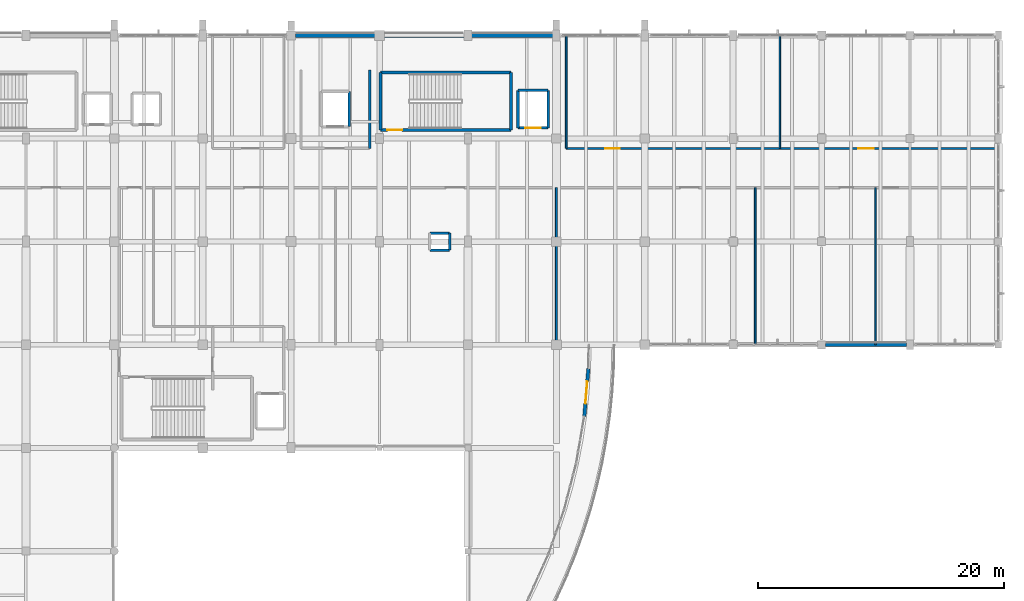
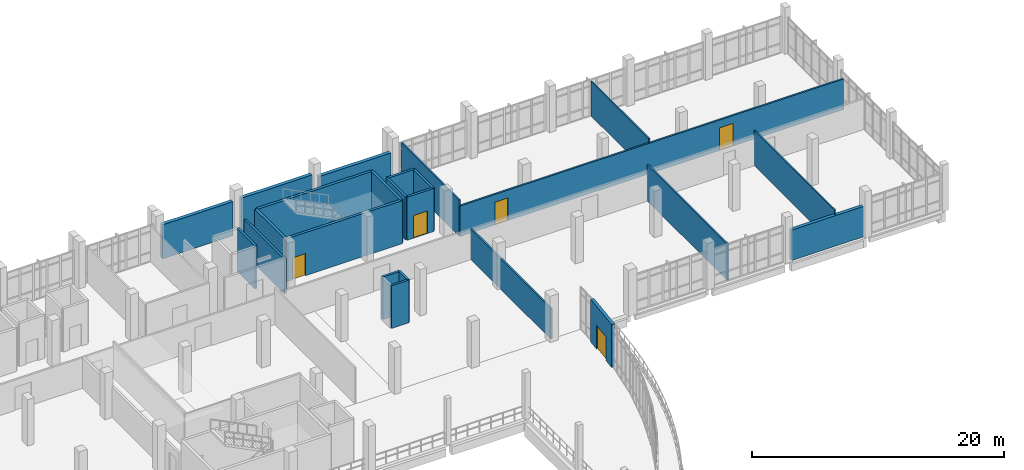
# One storey, part 106 of 116: 24 walls, 5 doors, 5 openings.
"""IFC4 building model written with IfcOpenShell, lengths in metres."""

import ifcopenshell
import ifcopenshell.guid

model = None  # the IFC model being written
_history = None  # IfcOwnerHistory: only IFC2X3 demands one
_inside = {}  # id of a spatial element -> (the spatial element, [elements in it])
_under = {}  # id of a project, library or spatial element -> (it, [spatial elements below it])
_declared = {}  # id of a project -> (the project, [libraries it declares])
_typed = {}  # id of a type object -> (the type object, [elements of that type])
_made_of = {}  # id of a material, layer set ... -> (it, [elements and type objects made of it])


def new_model(schema):
    """Start an empty IFC model of exactly this schema.

    Asked for "IFC4X3", IfcOpenShell would pick the latest addendum, in which some entities
    have other attributes; the version numbers below select the first issue.
    IFC2X3 requires an IfcOwnerHistory on every rooted entity: one is made here for all.
    """
    global model, _history
    if schema == "IFC4X3":
        model = ifcopenshell.file(schema_version=(4, 3, 0, 0))
    else:
        model = ifcopenshell.file(schema=schema)
    _inside.clear()
    _under.clear()
    _declared.clear()
    _typed.clear()
    _made_of.clear()
    _history = None
    if model.schema == "IFC2X3":
        org = make("IfcOrganization", Name="unknown")
        user = make(
            "IfcPersonAndOrganization",
            ThePerson=make("IfcPerson", FamilyName="unknown"),
            TheOrganization=org,
        )
        app = make(
            "IfcApplication",
            ApplicationDeveloper=org,
            Version="unknown",
            ApplicationFullName="unknown",
            ApplicationIdentifier="unknown",
        )
        _history = make(
            "IfcOwnerHistory",
            OwningUser=user,
            OwningApplication=app,
            ChangeAction="ADDED",
            CreationDate=0,
        )
    return model


def make(cls, **values):
    """One entity of the class cls with the attributes given. An attribute that is None is left unset."""
    return model.create_entity(
        cls, **{name: value for name, value in values.items() if value is not None}
    )


def rooted(cls, **values):
    """An entity with a GlobalId (a new one), such as an element, a storey or a relation."""
    return make(cls, GlobalId=ifcopenshell.guid.new(), OwnerHistory=_history, **values)


def si_unit(unit_type, name, prefix=None):
    """IfcSIUnit, for example si_unit("LENGTHUNIT", "METRE", prefix="MILLI")."""
    return make("IfcSIUnit", UnitType=unit_type, Prefix=prefix, Name=name)


def assignment(units):
    """IfcUnitAssignment: the units of a project."""
    return None if units is None else make("IfcUnitAssignment", Units=units)


def point(xyz):
    """IfcCartesianPoint."""
    return None if xyz is None else make("IfcCartesianPoint", Coordinates=xyz)


def direction(xyz):
    """IfcDirection."""
    return None if xyz is None else make("IfcDirection", DirectionRatios=xyz)


def frame(location, z_axis=None, x_axis=None):
    """IfcAxis2Placement3D, a coordinate frame: its origin and axes. An axis left out is left unset."""
    return make(
        "IfcAxis2Placement3D",
        Location=point(location),
        Axis=direction(z_axis),
        RefDirection=direction(x_axis),
    )


def frame_2d(location, x_axis=None):
    """IfcAxis2Placement2D, a coordinate frame in the plane: its origin and x axis."""
    return make(
        "IfcAxis2Placement2D", Location=point(location), RefDirection=direction(x_axis)
    )


def origin():
    """The frame at (0, 0, 0) with its axes left unset."""
    return frame((0.0, 0.0, 0.0))


def place(relative_to, where):
    """IfcLocalPlacement: puts the frame where relative to a parent placement (None: the world)."""
    return make(
        "IfcLocalPlacement", PlacementRelTo=relative_to, RelativePlacement=where
    )


def context(
    kind, dimensions, precision=None, world=None, true_north=None, identifier=None
):
    """IfcGeometricRepresentationContext, for example the 3D "Model" context."""
    return make(
        "IfcGeometricRepresentationContext",
        ContextIdentifier=identifier,
        ContextType=kind,
        CoordinateSpaceDimension=dimensions,
        Precision=precision,
        WorldCoordinateSystem=world,
        TrueNorth=true_north,
    )


def subcontext(parent, identifier, kind, view, scale=None):
    """IfcGeometricRepresentationSubContext, for example "Body" below "Model"."""
    return make(
        "IfcGeometricRepresentationSubContext",
        ContextIdentifier=identifier,
        ContextType=kind,
        ParentContext=parent,
        TargetScale=scale,
        TargetView=view,
    )


def project(units=None, contexts=None):
    """IfcProject with its units and contexts."""
    return rooted(
        "IfcProject",
        Name="project",
        RepresentationContexts=contexts,
        UnitsInContext=assignment(units),
    )


def spatial(cls, under=None, at=None, **own):
    """A site, building, storey or space (cls), placed at a placement, below another one or the project."""
    s = rooted(cls, ObjectPlacement=at, **own)
    if under is not None:
        _under.setdefault(under.id(), (under, []))[1].append(s)
    return s


def profile(cls, at=None, kind="AREA", **sizes):
    """A parametric profile (cls). Its sizes go by their IFC names, for example OverallWidth=200.0."""
    return make(cls, ProfileType=kind, Position=at, **sizes)


def rectangle(**sizes):
    """IfcRectangleProfileDef."""
    return profile("IfcRectangleProfileDef", **sizes)


def extrude(swept, where, along, depth):
    """IfcExtrudedAreaSolid: the profile swept, set in the frame where, extruded along a direction by depth."""
    return make(
        "IfcExtrudedAreaSolid",
        SweptArea=swept,
        Position=where,
        ExtrudedDirection=direction(along),
        Depth=depth,
    )


def shape(context_of_items, identifier, shape_type, items):
    """IfcShapeRepresentation: the items that make up one representation, for example the "Body"."""
    return make(
        "IfcShapeRepresentation",
        ContextOfItems=context_of_items,
        RepresentationIdentifier=identifier,
        RepresentationType=shape_type,
        Items=items,
    )


def material(Name=None, Category=None):
    """IfcMaterial."""
    return make("IfcMaterial", Name=Name, Category=Category)


def layer(
    of_material, thickness, ventilated=None, Name=None, Category=None, Priority=None
):
    """IfcMaterialLayer: one layer of a wall or slab, of a material (None: an air gap)."""
    return make(
        "IfcMaterialLayer",
        Material=of_material,
        LayerThickness=thickness,
        IsVentilated=ventilated,
        Name=Name,
        Category=Category,
        Priority=Priority,
    )


def layer_set(layers, Name=None):
    """IfcMaterialLayerSet."""
    return make("IfcMaterialLayerSet", MaterialLayers=layers, LayerSetName=Name)


def made_of(thing, what):
    """Note that an element or type object is made of a material, layer set ...; save() writes the relation."""
    if what is not None:
        _made_of.setdefault(what.id(), (what, []))[1].append(thing)
    return thing


def type_object(cls, material=None, **own):
    """A type object (cls), such as IfcWallType, which elements share."""
    return made_of(rooted(cls, **own), material)


def element(
    cls,
    number,
    at=None,
    inside=None,
    cuts=None,
    type_object=None,
    material=None,
    context=None,
    identifier="Body",
    shape_type=None,
    held_by="IfcProductDefinitionShape",
    body=None,
    shapes=None,
    **own,
):
    """One element of the class cls, such as IfcWall. Its Tag is "e" and its number.

    at: its placement. inside: the storey or other place that contains it. cuts: it is an
    opening in that element (IfcRelVoidsElement). A single representation is given by context,
    identifier, shape_type and body (its items); several are given by shapes. held_by: the class
    of the entity that holds the representations. save() writes the other relations.
    """
    e = rooted(cls, Tag="e%d" % number, ObjectPlacement=at, **own)
    if body is not None:
        shapes = [shape(context, identifier, shape_type, body)]
    if shapes is not None:
        e.Representation = make(held_by, Representations=shapes)
    if inside is not None:
        _inside.setdefault(inside.id(), (inside, []))[1].append(e)
    if cuts is not None:
        rooted(
            "IfcRelVoidsElement", RelatingBuildingElement=cuts, RelatedOpeningElement=e
        )
    if type_object is not None:
        _typed.setdefault(type_object.id(), (type_object, []))[1].append(e)
    return made_of(e, material)


def fill(opening, filler):
    """IfcRelFillsElement: the door or window that sits in an opening."""
    return rooted(
        "IfcRelFillsElement",
        RelatingOpeningElement=opening,
        RelatedBuildingElement=filler,
    )


def aggregate(whole, parts):
    """IfcRelAggregates: a whole, such as a stair, and the parts it consists of."""
    return rooted("IfcRelAggregates", RelatingObject=whole, RelatedObjects=parts)


def save(model, path):
    """Write the relations noted so far, then the file.

    IfcRelAggregates (storeys below a building ...), IfcRelContainedInSpatialStructure (elements
    in a storey), IfcRelDefinesByType, IfcRelAssociatesMaterial and IfcRelDeclares: one each for
    every whole, place, type object, material and project.
    """
    for whole, parts in _under.values():
        aggregate(whole, parts)
    for where, things in _inside.values():
        rooted(
            "IfcRelContainedInSpatialStructure",
            RelatedElements=things,
            RelatingStructure=where,
        )
    for kind, things in _typed.values():
        rooted("IfcRelDefinesByType", RelatedObjects=things, RelatingType=kind)
    for what, things in _made_of.values():
        rooted("IfcRelAssociatesMaterial", RelatedObjects=things, RelatingMaterial=what)
    for by, libraries in _declared.values():
        rooted("IfcRelDeclares", RelatingContext=by, RelatedDefinitions=libraries)
    model.write(path)


model = new_model("IFC4")

# Units and contexts
model_context = context("Model", 3, precision=1e-05, world=origin(), true_north=direction((0.0, 1.0)))
body_context = subcontext(model_context, "Body", "Model", "MODEL_VIEW")
ifc_project = project(units=[si_unit("LENGTHUNIT", "METRE"), si_unit("AREAUNIT", "SQUARE_METRE"), si_unit("VOLUMEUNIT", "CUBIC_METRE"), si_unit("PLANEANGLEUNIT", "RADIAN"), si_unit("MASSUNIT", "GRAM", prefix="KILO")], contexts=[model_context])

# Site, building, storey
site_placement = place(None, origin())
site = spatial("IfcSite", under=ifc_project, at=site_placement, CompositionType="ELEMENT")
building_placement = place(site_placement, origin())
building = spatial("IfcBuilding", under=site, at=building_placement, Name="Kalluvel Institute of Natural Sciences", CompositionType="ELEMENT")
storey_placement = place(building_placement, frame((0.0, 0.0, 14.39990234375)))
storey = spatial("IfcBuildingStorey", under=building, at=storey_placement, Name="L03", CompositionType="ELEMENT", Elevation=14.39990234375)

# Wall, opening, door
ifc_material_1 = material(Name="Concrete M40", Category="concrete")
ifc_layer_1 = layer(ifc_material_1, 0.25)
ifc_layer_set_1 = layer_set([ifc_layer_1], Name="Concrete M40")
wall_type_1 = type_object("IfcWallType", Name="WL-CORE-250", PredefinedType="SHEAR", material=ifc_layer_set_1)
wall_1_placement = place(storey_placement, frame((64.485107421875, 120.284912109375, 0.0), z_axis=(0.0, 0.0, 1.0), x_axis=(1.0, 0.0, 0.0)))
wall_1 = element("IfcWall", 1, at=wall_1_placement, inside=storey, type_object=wall_type_1, Name="ST2 L03 core wall S", PredefinedType="SHEAR", context=body_context, shape_type="SweptSolid", body=[
    extrude(rectangle(XDim=10.6298828125, YDim=0.25, at=frame_2d((5.31494140625, 0.0))), origin(), (0.0, 0.0, 1.0), 4.175048828125),
])
opening_1_placement = place(wall_1_placement, frame((0.550048828125, 0.0, 0.0)))
opening_1 = element("IfcOpeningElement", 2, at=opening_1_placement, cuts=wall_1, Name="Opening DS-016", PredefinedType="OPENING", context=body_context, shape_type="SweptSolid", body=[
    extrude(rectangle(XDim=1.199951171875, YDim=2.14990234375, at=frame_2d((0.60009765625, 1.074951171875))), frame((0.0, 0.135009765625, 0.0), z_axis=(0.0, -1.0, 0.0), x_axis=(1.0, 0.0, 0.0)), (0.0, 0.0, 1.0), 0.27001953125),
])
ifc_material_2 = material(Name="Galvanized Fire-Rated Steel", Category="steel")
door_type_1 = type_object("IfcDoorType", Name="DR-ST-1200", OperationType="NOTDEFINED", PredefinedType="DOOR", material=ifc_material_2)
door_1_placement = place(opening_1_placement, origin())
door_1 = element("IfcDoor", 3, at=door_1_placement, inside=storey, type_object=door_type_1, Name="ST2 L03 protected stair door DS-016", OperationType="SINGLE_SWING_LEFT", OverallHeight=2.14990234375, OverallWidth=1.199951171875, PredefinedType="DOOR", context=body_context, shape_type="SweptSolid", body=[
    extrude(rectangle(XDim=1.199951171875, YDim=2.14990234375, at=frame_2d((0.60009765625, 1.074951171875))), frame((0.0, 0.02490234375, 0.0), z_axis=(0.0, -1.0, 0.0), x_axis=(1.0, 0.0, 0.0)), (0.0, 0.0, 1.0), 0.050048828125),
])
fill(opening_1, door_1)

# Walls
wall_2_placement = place(storey_placement, frame((75.114990234375, 120.284912109375, 0.0), z_axis=(0.0, 0.0, 1.0), x_axis=(0.0, 1.0, 0.0)))
element("IfcWall", 4, at=wall_2_placement, inside=storey, type_object=wall_type_1, Name="ST2 L03 core wall E", PredefinedType="SHEAR", context=body_context, shape_type="SweptSolid", body=[
    extrude(rectangle(XDim=4.7001953125, YDim=0.25, at=frame_2d((2.35009765625, 0.0))), origin(), (0.0, 0.0, 1.0), 4.175048828125),
])
wall_3_placement = place(storey_placement, frame((75.114990234375, 124.985107421875, 0.0), z_axis=(0.0, 0.0, 1.0), x_axis=(-1.0, 0.0, 0.0)))
element("IfcWall", 5, at=wall_3_placement, inside=storey, type_object=wall_type_1, Name="ST2 L03 core wall N", PredefinedType="SHEAR", context=body_context, shape_type="SweptSolid", body=[
    extrude(rectangle(XDim=10.6298828125, YDim=0.25, at=frame_2d((5.31494140625, 0.0))), origin(), (0.0, 0.0, 1.0), 4.175048828125),
])
wall_4_placement = place(storey_placement, frame((64.485107421875, 124.985107421875, 0.0), z_axis=(0.0, 0.0, 1.0), x_axis=(0.0, -1.0, 0.0)))
element("IfcWall", 6, at=wall_4_placement, inside=storey, type_object=wall_type_1, Name="ST2 L03 core wall W", PredefinedType="SHEAR", context=body_context, shape_type="SweptSolid", body=[
    extrude(rectangle(XDim=4.7001953125, YDim=0.25, at=frame_2d((2.35009765625, 0.0))), origin(), (0.0, 0.0, 1.0), 4.175048828125),
])

# Wall, opening, door
ifc_material_3 = material(Name="Sadarahalli Grey Granite Ashlar Concrete M40", Category="masonry")
ifc_layer_2 = layer(ifc_material_3, 0.280029296875)
ifc_layer_set_2 = layer_set([ifc_layer_2], Name="Sadarahalli Grey Granite Ashlar Concrete M40")
wall_type_2 = type_object("IfcWallType", Name="WL-EXT-280", PredefinedType="SOLIDWALL", material=ifc_layer_set_2)
wall_5_placement = place(storey_placement, frame((81.07861328125, 96.976318359375, 0.0), z_axis=(0.0, 0.0, 1.0), x_axis=(0.084815732282, 0.996396653727, 0.0)))
wall_5 = element("IfcWall", 7, at=wall_5_placement, inside=storey, type_object=wall_type_2, Name="L03 Sadarahalli granite exterior wall WL-EXT-L03-0231", PredefinedType="SOLIDWALL", context=body_context, shape_type="SweptSolid", body=[
    extrude(rectangle(XDim=3.8916015625, YDim=0.280029296875, at=frame_2d((1.94580078125, 0.0))), origin(), (0.0, 0.0, 1.0), 4.150146484375),
])
opening_2_placement = place(wall_5_placement, frame((1.0458984375, 0.0, 0.0)))
opening_2 = element("IfcOpeningElement", 8, at=opening_2_placement, cuts=wall_5, Name="Opening DT-007", PredefinedType="OPENING", context=body_context, shape_type="SweptSolid", body=[
    extrude(rectangle(XDim=1.800048828125, YDim=2.300048828125, at=frame_2d((0.89990234375, 1.14990234375))), frame((0.0, 0.14990234375, 0.0), z_axis=(0.0, -1.0, 0.0), x_axis=(1.0, 0.0, 0.0)), (0.0, 0.0, 1.0), 0.300048828125),
])
ifc_material_4 = material(Name="Aluminium AW-6063 T6", Category="aluminium")
door_type_2 = type_object("IfcDoorType", Name="DR-TER-1800", OperationType="NOTDEFINED", PredefinedType="DOOR", material=ifc_material_4)
door_2_placement = place(opening_2_placement, origin())
door_2 = element("IfcDoor", 9, at=door_2_placement, inside=storey, type_object=door_type_2, Name="L03 Curved Stepped Atrium Terrace Door", OperationType="DOUBLE_DOOR_SINGLE_SWING", OverallHeight=2.300048828125, OverallWidth=1.800048828125, PredefinedType="DOOR", context=body_context, shape_type="SweptSolid", body=[
    extrude(rectangle(XDim=1.800048828125, YDim=2.300048828125, at=frame_2d((0.89990234375, 1.14990234375))), frame((0.0, 0.02490234375, 0.0), z_axis=(0.0, -1.0, 0.0), x_axis=(1.0, 0.0, 0.0)), (0.0, 0.0, 1.0), 0.050048828125),
])
fill(opening_2, door_2)

# Walls
ifc_layer_3 = layer(ifc_material_3, 0.300048828125)
ifc_layer_set_3 = layer_set([ifc_layer_3], Name="Sadarahalli Grey Granite Ashlar Concrete M40")
wall_type_3 = type_object("IfcWallType", Name="WL-EXT-300", PredefinedType="SOLIDWALL", material=ifc_layer_set_3)
wall_6_placement = place(storey_placement, frame((100.705078125, 102.800048828125, 0.0), z_axis=(0.0, 0.0, 1.0), x_axis=(1.0, 0.0, 0.0)))
element("IfcWall", 10, at=wall_6_placement, inside=storey, type_object=wall_type_3, Name="L03 Sadarahalli granite exterior wall WL-EXT-L03-0046", PredefinedType="SOLIDWALL", context=body_context, shape_type="SweptSolid", body=[
    extrude(rectangle(XDim=6.614990234375, YDim=0.300048828125, at=frame_2d((3.3076171875, 0.0))), origin(), (0.0, 0.0, 1.0), 2.955078125),
])
ifc_layer_4 = layer(ifc_material_3, 0.320068359375)
ifc_layer_set_4 = layer_set([ifc_layer_4], Name="Sadarahalli Grey Granite Ashlar Concrete M40")
wall_type_4 = type_object("IfcWallType", Name="WL-EXT-320", PredefinedType="SOLIDWALL", material=ifc_layer_set_4)
wall_7_placement = place(storey_placement, frame((57.554931640625, 128.0, 0.0), z_axis=(0.0, 0.0, 1.0), x_axis=(1.0, 0.0, 0.0)))
element("IfcWall", 11, at=wall_7_placement, inside=storey, type_object=wall_type_4, Name="L03 Sadarahalli granite exterior wall WL-EXT-L03-0043", PredefinedType="SOLIDWALL", context=body_context, shape_type="SweptSolid", body=[
    extrude(rectangle(XDim=6.465087890625, YDim=0.320068359375, at=frame_2d((3.232421875, 0.0))), origin(), (0.0, 0.0, 1.0), 3.30517578125),
])
wall_8_placement = place(storey_placement, frame((64.780029296875, 128.0, 0.0), z_axis=(0.0, 0.0, 1.0), x_axis=(1.0, 0.0, 0.0)))
element("IfcWall", 12, at=wall_8_placement, inside=storey, type_object=wall_type_4, Name="L03 Sadarahalli granite exterior wall WL-EXT-L03-0044", PredefinedType="SOLIDWALL", context=body_context, shape_type="SweptSolid", body=[
    extrude(rectangle(XDim=6.514892578125, YDim=0.320068359375, at=frame_2d((3.25732421875, 0.0))), origin(), (0.0, 0.0, 1.0), 3.35498046875),
])
wall_9_placement = place(storey_placement, frame((71.905029296875, 128.0, 0.0), z_axis=(0.0, 0.0, 1.0), x_axis=(1.0, 0.0, 0.0)))
element("IfcWall", 13, at=wall_9_placement, inside=storey, type_object=wall_type_4, Name="L03 Sadarahalli granite exterior wall WL-EXT-L03-0045", PredefinedType="SOLIDWALL", context=body_context, shape_type="SweptSolid", body=[
    extrude(rectangle(XDim=6.614990234375, YDim=0.320068359375, at=frame_2d((3.3076171875, 0.0))), origin(), (0.0, 0.0, 1.0), 2.955078125),
])
ifc_material_5 = material(Name="Autoclaved Aerated Concrete Masonry Block", Category="masonry")
ifc_layer_5 = layer(ifc_material_5, 0.199951171875)
ifc_layer_set_5 = layer_set([ifc_layer_5], Name="Autoclaved Aerated Concrete Masonry Block")
wall_type_5 = type_object("IfcWallType", Name="WL-FIRE-200", PredefinedType="SOLIDWALL", material=ifc_layer_set_5)
wall_10_placement = place(storey_placement, frame((63.60009765625, 118.800048828125, 0.0), z_axis=(0.0, 0.0, 1.0), x_axis=(0.0, 1.0, 0.0)))
element("IfcWall", 14, at=wall_10_placement, inside=storey, type_object=wall_type_5, Name="L03 interior fire wall WL-INT-L03-0166", PredefinedType="SOLIDWALL", context=body_context, shape_type="SweptSolid", body=[
    extrude(rectangle(XDim=6.39990234375, YDim=0.199951171875, at=frame_2d((3.199951171875, 0.0))), origin(), (0.0, 0.0, 1.0), 3.360107421875),
])
ifc_material_6 = material(Name="Acoustic Gypsum Twin-Stud Partition", Category="gypsum")
ifc_layer_6 = layer(ifc_material_6, 0.1201171875)
ifc_layer_set_6 = layer_set([ifc_layer_6], Name="Acoustic Gypsum Twin-Stud Partition")
wall_type_6 = type_object("IfcWallType", Name="WL-PART-120", PredefinedType="PARTITIONING", material=ifc_layer_set_6)
wall_11_placement = place(storey_placement, frame((97.0, 118.800048828125, 0.0), z_axis=(0.0, 0.0, 1.0), x_axis=(0.0, 1.0, 0.0)))
element("IfcWall", 15, at=wall_11_placement, inside=storey, type_object=wall_type_6, Name="L03 interior partition wall WL-INT-L03-0184", PredefinedType="PARTITIONING", context=body_context, shape_type="SweptSolid", body=[
    extrude(rectangle(XDim=9.199951171875, YDim=0.1201171875, at=frame_2d((4.60009765625, 0.0))), origin(), (0.0, 0.0, 1.0), 3.360107421875),
])
wall_12_placement = place(storey_placement, frame((104.800048828125, 102.800048828125, 0.0), z_axis=(0.0, 0.0, 1.0), x_axis=(0.0, 1.0, 0.0)))
element("IfcWall", 16, at=wall_12_placement, inside=storey, type_object=wall_type_6, Name="L03 interior partition wall WL-INT-L03-0190", PredefinedType="PARTITIONING", context=body_context, shape_type="SweptSolid", body=[
    extrude(rectangle(XDim=12.800048828125, YDim=0.1201171875, at=frame_2d((6.39990234375, 0.0))), origin(), (0.0, 0.0, 1.0), 3.41015625),
])
ifc_layer_7 = layer(ifc_material_6, 0.139892578125)
ifc_layer_set_7 = layer_set([ifc_layer_7], Name="Acoustic Gypsum Twin-Stud Partition")
wall_type_7 = type_object("IfcWallType", Name="WL-PART-140", PredefinedType="PARTITIONING", material=ifc_layer_set_7)
wall_13_placement = place(storey_placement, frame((79.60009765625, 118.800048828125, 0.0), z_axis=(0.0, 0.0, 1.0), x_axis=(0.0, 1.0, 0.0)))
element("IfcWall", 17, at=wall_13_placement, inside=storey, type_object=wall_type_7, Name="L03 interior partition wall WL-INT-L03-0183", PredefinedType="PARTITIONING", context=body_context, shape_type="SweptSolid", body=[
    extrude(rectangle(XDim=9.199951171875, YDim=0.139892578125, at=frame_2d((4.60009765625, 0.0))), origin(), (0.0, 0.0, 1.0), 3.510009765625),
])
wall_14_placement = place(storey_placement, frame((95.0, 102.800048828125, 0.0), z_axis=(0.0, 0.0, 1.0), x_axis=(0.0, 1.0, 0.0)))
element("IfcWall", 18, at=wall_14_placement, inside=storey, type_object=wall_type_7, Name="L03 interior partition wall WL-INT-L03-0189", PredefinedType="PARTITIONING", context=body_context, shape_type="SweptSolid", body=[
    extrude(rectangle(XDim=12.800048828125, YDim=0.139892578125, at=frame_2d((6.39990234375, 0.0))), origin(), (0.0, 0.0, 1.0), 3.510009765625),
])

# Wall, openings, doors
ifc_layer_8 = layer(ifc_material_5, 0.159912109375)
ifc_layer_set_8 = layer_set([ifc_layer_8], Name="Autoclaved Aerated Concrete Masonry Block")
wall_type_8 = type_object("IfcWallType", Name="WL-PART-160", PredefinedType="PARTITIONING", material=ifc_layer_set_8)
wall_15_placement = place(storey_placement, frame((79.60009765625, 118.800048828125, 0.0), z_axis=(0.0, 0.0, 1.0), x_axis=(1.0, 0.0, 0.0)))
wall_15 = element("IfcWall", 19, at=wall_15_placement, inside=storey, type_object=wall_type_8, Name="L03 interior partition wall WL-INT-L03-0182", PredefinedType="PARTITIONING", context=body_context, shape_type="SweptSolid", body=[
    extrude(rectangle(XDim=35.199951171875, YDim=0.159912109375, at=frame_2d((17.60009765625, 0.0))), origin(), (0.0, 0.0, 1.0), 2.960205078125),
])
opening_3_placement = place(wall_15_placement, frame((3.199951171875, 0.0, 0.0)))
opening_3 = element("IfcOpeningElement", 20, at=opening_3_placement, cuts=wall_15, Name="Opening D-151", PredefinedType="OPENING", context=body_context, shape_type="SweptSolid", body=[
    extrude(rectangle(XDim=1.179931640625, YDim=2.199951171875, at=frame_2d((0.58984375, 1.10009765625))), frame((0.0, 0.08984375, 0.0), z_axis=(0.0, -1.0, 0.0), x_axis=(1.0, 0.0, 0.0)), (0.0, 0.0, 1.0), 0.179931640625),
])
opening_4_placement = place(wall_15_placement, frame((23.800048828125, 0.0, 0.0)))
opening_4 = element("IfcOpeningElement", 21, at=opening_4_placement, cuts=wall_15, Name="Opening D-152", PredefinedType="OPENING", context=body_context, shape_type="SweptSolid", body=[
    extrude(rectangle(XDim=1.25, YDim=2.199951171875, at=frame_2d((0.625, 1.10009765625))), frame((0.0, 0.08984375, 0.0), z_axis=(0.0, -1.0, 0.0), x_axis=(1.0, 0.0, 0.0)), (0.0, 0.0, 1.0), 0.179931640625),
])
ifc_material_7 = material(Name="Engineered Hardwood Acoustic Leaf", Category="wood")
door_type_3 = type_object("IfcDoorType", Name="DR-INT-1180", OperationType="NOTDEFINED", PredefinedType="DOOR", material=ifc_material_7)
door_3_placement = place(opening_3_placement, origin())
door_3 = element("IfcDoor", 22, at=door_3_placement, inside=storey, type_object=door_type_3, Name="L03 NE1 door D-151", OperationType="SINGLE_SWING_LEFT", OverallHeight=2.199951171875, OverallWidth=1.179931640625, PredefinedType="DOOR", context=body_context, shape_type="SweptSolid", body=[
    extrude(rectangle(XDim=1.179931640625, YDim=2.199951171875, at=frame_2d((0.58984375, 1.10009765625))), frame((0.0, 0.02490234375, 0.0), z_axis=(0.0, -1.0, 0.0), x_axis=(1.0, 0.0, 0.0)), (0.0, 0.0, 1.0), 0.050048828125),
])
fill(opening_3, door_3)
door_type_4 = type_object("IfcDoorType", Name="DR-INT-1250", OperationType="NOTDEFINED", PredefinedType="DOOR", material=ifc_material_7)
door_4_placement = place(opening_4_placement, origin())
door_4 = element("IfcDoor", 23, at=door_4_placement, inside=storey, type_object=door_type_4, Name="L03 NE2 door D-152", OperationType="SINGLE_SWING_RIGHT", OverallHeight=2.199951171875, OverallWidth=1.25, PredefinedType="DOOR", context=body_context, shape_type="SweptSolid", body=[
    extrude(rectangle(XDim=1.25, YDim=2.199951171875, at=frame_2d((0.625, 1.10009765625))), frame((0.0, 0.02490234375, 0.0), z_axis=(0.0, -1.0, 0.0), x_axis=(1.0, 0.0, 0.0)), (0.0, 0.0, 1.0), 0.050048828125),
])
fill(opening_4, door_4)

# Walls
wall_16_placement = place(storey_placement, frame((78.800048828125, 102.800048828125, 0.0), z_axis=(0.0, 0.0, 1.0), x_axis=(0.0, 1.0, 0.0)))
element("IfcWall", 24, at=wall_16_placement, inside=storey, type_object=wall_type_8, Name="L03 interior partition wall WL-INT-L03-0188", PredefinedType="PARTITIONING", context=body_context, shape_type="SweptSolid", body=[
    extrude(rectangle(XDim=12.800048828125, YDim=0.159912109375, at=frame_2d((6.39990234375, 0.0))), origin(), (0.0, 0.0, 1.0), 2.960205078125),
])
ifc_layer_9 = layer(ifc_material_1, 0.199951171875)
ifc_layer_set_9 = layer_set([ifc_layer_9], Name="Concrete M40")
wall_type_9 = type_object("IfcWallType", Name="WL-RISER-200", PredefinedType="SHEAR", material=ifc_layer_set_9)
wall_17_placement = place(storey_placement, frame((68.5, 110.5, 0.0), z_axis=(0.0, 0.0, 1.0), x_axis=(1.0, 0.0, 0.0)))
element("IfcWall", 25, at=wall_17_placement, inside=storey, type_object=wall_type_9, Name="RS-WET-E L03 service riser enclosure S", PredefinedType="SHEAR", context=body_context, shape_type="SweptSolid", body=[
    extrude(rectangle(XDim=1.60009765625, YDim=0.199951171875, at=frame_2d((0.800048828125, 0.0))), origin(), (0.0, 0.0, 1.0), 4.14013671875),
])
wall_18_placement = place(storey_placement, frame((70.10009765625, 110.5, 0.0), z_axis=(0.0, 0.0, 1.0), x_axis=(0.0, 1.0, 0.0)))
element("IfcWall", 26, at=wall_18_placement, inside=storey, type_object=wall_type_9, Name="RS-WET-E L03 service riser enclosure E", PredefinedType="SHEAR", context=body_context, shape_type="SweptSolid", body=[
    extrude(rectangle(XDim=1.39990234375, YDim=0.199951171875, at=frame_2d((0.699951171875, 0.0))), origin(), (0.0, 0.0, 1.0), 4.14013671875),
])
wall_19_placement = place(storey_placement, frame((70.10009765625, 111.89990234375, 0.0), z_axis=(0.0, 0.0, 1.0), x_axis=(-1.0, 0.0, 0.0)))
element("IfcWall", 27, at=wall_19_placement, inside=storey, type_object=wall_type_9, Name="RS-WET-E L03 service riser enclosure N", PredefinedType="SHEAR", context=body_context, shape_type="SweptSolid", body=[
    extrude(rectangle(XDim=1.60009765625, YDim=0.199951171875, at=frame_2d((0.800048828125, 0.0))), origin(), (0.0, 0.0, 1.0), 4.14013671875),
])
ifc_layer_10 = layer(ifc_material_1, 0.219970703125)
ifc_layer_set_10 = layer_set([ifc_layer_10], Name="Concrete M40")
wall_type_10 = type_object("IfcWallType", Name="WL-SHAFT-220", PredefinedType="SHEAR", material=ifc_layer_set_10)
wall_20_placement = place(storey_placement, frame((61.929931640625, 120.570068359375, 0.0), z_axis=(0.0, 0.0, 1.0), x_axis=(0.0, 1.0, 0.0)))
element("IfcWall", 28, at=wall_20_placement, inside=storey, type_object=wall_type_10, Name="LF3 L03 lift shaft wall", PredefinedType="SHEAR", context=body_context, shape_type="SweptSolid", body=[
    extrude(rectangle(XDim=2.85986328125, YDim=0.219970703125, at=frame_2d((1.429931640625, 0.0))), origin(), (0.0, 0.0, 1.0), 4.175048828125),
])

# Wall, opening, door
wall_21_placement = place(storey_placement, frame((75.669921875, 120.469970703125, 0.0), z_axis=(0.0, 0.0, 1.0), x_axis=(1.0, 0.0, 0.0)))
wall_21 = element("IfcWall", 29, at=wall_21_placement, inside=storey, type_object=wall_type_10, Name="LF4 L03 lift shaft wall", PredefinedType="SHEAR", context=body_context, shape_type="SweptSolid", body=[
    extrude(rectangle(XDim=2.4599609375, YDim=0.219970703125, at=frame_2d((1.22998046875, 0.0))), origin(), (0.0, 0.0, 1.0), 4.175048828125),
])
opening_5_placement = place(wall_21_placement, frame((0.580078125, 0.0, 0.0)))
opening_5 = element("IfcOpeningElement", 30, at=opening_5_placement, cuts=wall_21, Name="Opening LD-035", PredefinedType="OPENING", context=body_context, shape_type="SweptSolid", body=[
    extrude(rectangle(XDim=1.300048828125, YDim=2.199951171875, at=frame_2d((0.64990234375, 1.10009765625))), frame((0.0, 0.119873046875, 0.0), z_axis=(0.0, -1.0, 0.0), x_axis=(1.0, 0.0, 0.0)), (0.0, 0.0, 1.0), 0.239990234375),
])
door_type_5 = type_object("IfcDoorType", Name="DR-LD-1300", OperationType="NOTDEFINED", PredefinedType="DOOR", material=ifc_material_2)
door_5_placement = place(opening_5_placement, origin())
door_5 = element("IfcDoor", 31, at=door_5_placement, inside=storey, type_object=door_type_5, Name="LF4 L03 sliding lift landing door LD-035", OperationType="DOUBLE_DOOR_SLIDING", OverallHeight=2.199951171875, OverallWidth=1.300048828125, PredefinedType="DOOR", context=body_context, shape_type="SweptSolid", body=[
    extrude(rectangle(XDim=1.300048828125, YDim=2.199951171875, at=frame_2d((0.64990234375, 1.10009765625))), frame((0.0, 0.02490234375, 0.0), z_axis=(0.0, -1.0, 0.0), x_axis=(1.0, 0.0, 0.0)), (0.0, 0.0, 1.0), 0.050048828125),
])
fill(opening_5, door_5)

# Walls
wall_22_placement = place(storey_placement, frame((78.1298828125, 120.469970703125, 0.0), z_axis=(0.0, 0.0, 1.0), x_axis=(0.0, 1.0, 0.0)))
element("IfcWall", 32, at=wall_22_placement, inside=storey, type_object=wall_type_10, Name="LF4 L03 lift shaft wall", PredefinedType="SHEAR", context=body_context, shape_type="SweptSolid", body=[
    extrude(rectangle(XDim=3.06005859375, YDim=0.219970703125, at=frame_2d((1.530029296875, 0.0))), origin(), (0.0, 0.0, 1.0), 4.175048828125),
])
wall_23_placement = place(storey_placement, frame((78.1298828125, 123.530029296875, 0.0), z_axis=(0.0, 0.0, 1.0), x_axis=(-1.0, 0.0, 0.0)))
element("IfcWall", 33, at=wall_23_placement, inside=storey, type_object=wall_type_10, Name="LF4 L03 lift shaft wall", PredefinedType="SHEAR", context=body_context, shape_type="SweptSolid", body=[
    extrude(rectangle(XDim=2.4599609375, YDim=0.219970703125, at=frame_2d((1.22998046875, 0.0))), origin(), (0.0, 0.0, 1.0), 4.175048828125),
])
wall_24_placement = place(storey_placement, frame((75.669921875, 123.530029296875, 0.0), z_axis=(0.0, 0.0, 1.0), x_axis=(0.0, -1.0, 0.0)))
element("IfcWall", 34, at=wall_24_placement, inside=storey, type_object=wall_type_10, Name="LF4 L03 lift shaft wall", PredefinedType="SHEAR", context=body_context, shape_type="SweptSolid", body=[
    extrude(rectangle(XDim=3.06005859375, YDim=0.219970703125, at=frame_2d((1.530029296875, 0.0))), origin(), (0.0, 0.0, 1.0), 4.175048828125),
])

save(model, "model.ifc")
